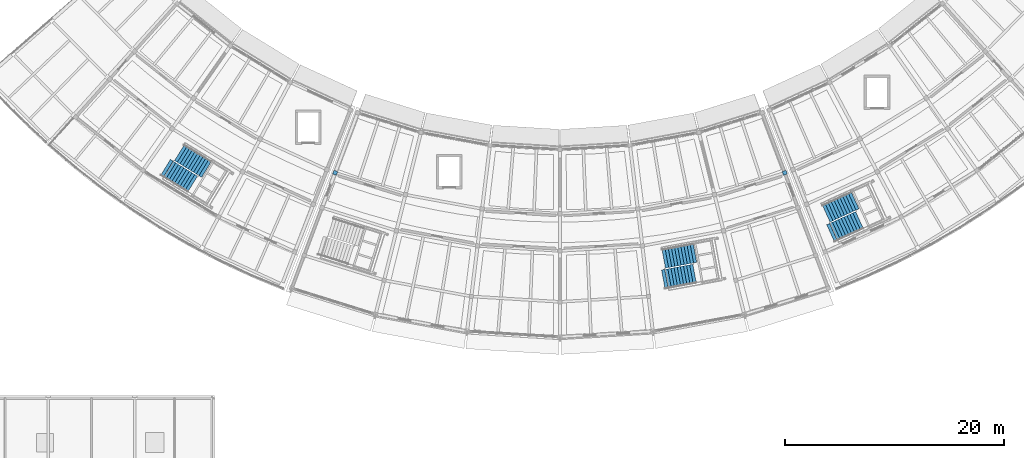
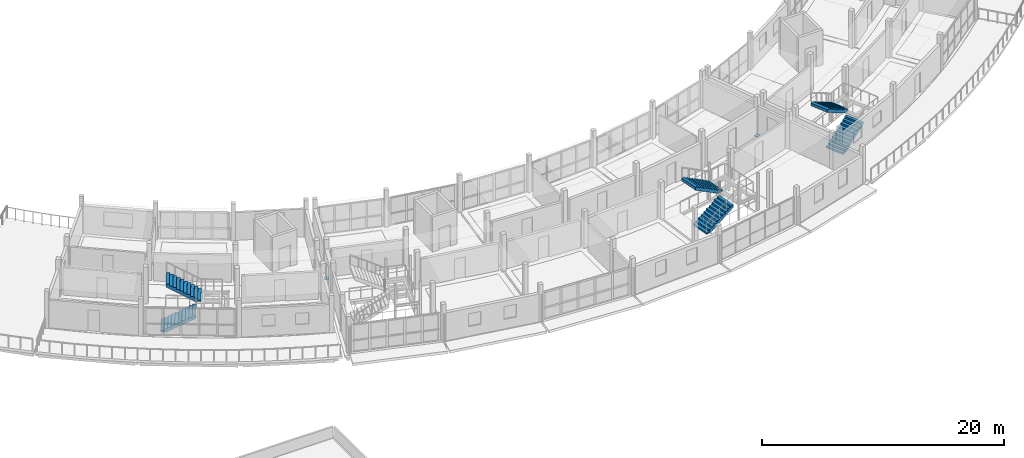
# One storey, part 29 of 36: 6 stair flights, 2 discrete accessories, 3 elements without a shape of their own.
"""IFC4 building model written with IfcOpenShell, lengths in metres."""

from ifc_helpers import new_model, si_unit, direction, frame, origin, origin_2d, place, context, subcontext, project, spatial, polyline, rectangle, outline, extrude, material, type_object, element, aggregate, save


model = new_model("IFC4")

# Units and contexts
model_context = context("Model", 3, precision=1e-05, world=origin(), true_north=direction((0.0, 1.0)))
body_context = subcontext(model_context, "Body", "Model", "MODEL_VIEW")
ifc_project = project(units=[si_unit("LENGTHUNIT", "METRE"), si_unit("AREAUNIT", "SQUARE_METRE"), si_unit("VOLUMEUNIT", "CUBIC_METRE"), si_unit("PLANEANGLEUNIT", "RADIAN"), si_unit("MASSUNIT", "GRAM", prefix="KILO")], contexts=[model_context])

# Site, building, storey
site_placement = place(None, origin())
site = spatial("IfcSite", under=ifc_project, at=site_placement, CompositionType="ELEMENT")
building_placement = place(site_placement, origin())
building = spatial("IfcBuilding", under=site, at=building_placement, Name="Caldaven Crescent School", CompositionType="ELEMENT")
storey_placement = place(building_placement, frame((0.0, 0.0, 11.89990234375)))
storey = spatial("IfcBuildingStorey", under=building, at=storey_placement, Name="L03", CompositionType="ELEMENT", Elevation=11.89990234375)

# Stair, stair flights
ifc_material_1 = material(Name="Precast concrete C30/37", Category="concrete")
stair_type_1 = type_object("IfcStairType", Name="STR-S5", PredefinedType="TWO_STRAIGHT_RUN_STAIR", material=ifc_material_1)
stair_1_placement = place(storey_placement, origin())
stair_1 = element("IfcStair", 1, at=stair_1_placement, inside=storey, type_object=stair_type_1, Name="STAIR-ST1-L03", PredefinedType="TWO_STRAIGHT_RUN_STAIR")
stair_flight_type_1 = type_object("IfcStairFlightType", Name="STF-F5", PredefinedType="STRAIGHT", material=ifc_material_1)
stair_flight_1_placement = place(storey_placement, frame((51.99365234375, 41.9130859375, 0.0), z_axis=(0.0, 0.0, 1.0), x_axis=(0.852640164354, -0.522498564716, 0.0)))
stair_flight_1 = element("IfcStairFlight", 2, at=stair_flight_1_placement, type_object=stair_flight_type_1, Name="ST1-L03 flight 1", NumberOfRisers=11, NumberOfTreads=10, PredefinedType="STRAIGHT", RiserHeight=0.17, TreadLength=0.29, context=body_context, shape_type="SweptSolid", body=[
    extrude(outline(polyline([(0.0, 0.0), (0.0, 0.169921875), (0.2900390625, 0.169921875), (0.2900390625, 0.340087890625), (0.580078125, 0.340087890625), (0.580078125, 0.510009765625), (0.8701171875, 0.510009765625), (0.8701171875, 0.679931640625), (1.159912109375, 0.679931640625), (1.159912109375, 0.85009765625), (1.449951171875, 0.85009765625), (1.449951171875, 1.02001953125), (1.739990234375, 1.02001953125), (1.739990234375, 1.18994140625), (2.030029296875, 1.18994140625), (2.030029296875, 1.360107421875), (2.320068359375, 1.360107421875), (2.320068359375, 1.530029296875), (2.610107421875, 1.530029296875), (2.610107421875, 1.699951171875), (2.89990234375, 1.699951171875), (2.89990234375, 1.8701171875), (2.89990234375, 1.421875), (0.474609375, 0.0), (0.0, 0.0)])), frame((0.0, 0.85986328125, 0.0), z_axis=(0.0, -1.0, 0.0), x_axis=(1.0, 0.0, 0.0)), (0.0, 0.0, 1.0), 1.719970703125),
])
stair_flight_2_placement = place(storey_placement, frame((55.7412109375, 41.7509765625, 1.8701171875), z_axis=(0.0, 0.0, 1.0), x_axis=(-0.852640164354, 0.522498564716, 0.0)))
stair_flight_2 = element("IfcStairFlight", 3, at=stair_flight_2_placement, type_object=stair_flight_type_1, Name="ST1-L03 flight 2", NumberOfRisers=11, NumberOfTreads=10, PredefinedType="STRAIGHT", RiserHeight=0.17, TreadLength=0.29, context=body_context, shape_type="SweptSolid", body=[
    extrude(outline(polyline([(0.0, 0.0), (0.0, 0.169921875), (0.2900390625, 0.169921875), (0.2900390625, 0.340087890625), (0.580078125, 0.340087890625), (0.580078125, 0.510009765625), (0.8701171875, 0.510009765625), (0.8701171875, 0.679931640625), (1.159912109375, 0.679931640625), (1.159912109375, 0.85009765625), (1.449951171875, 0.85009765625), (1.449951171875, 1.02001953125), (1.739990234375, 1.02001953125), (1.739990234375, 1.18994140625), (2.030029296875, 1.18994140625), (2.030029296875, 1.360107421875), (2.320068359375, 1.360107421875), (2.320068359375, 1.530029296875), (2.610107421875, 1.530029296875), (2.610107421875, 1.699951171875), (2.89990234375, 1.699951171875), (2.89990234375, 1.8701171875), (2.89990234375, 1.421875), (0.474609375, 0.0), (0.0, 0.0)])), frame((0.0, 0.85986328125, 0.0), z_axis=(0.0, -1.0, 0.0), x_axis=(1.0, 0.0, 0.0)), (0.0, 0.0, 1.0), 1.719970703125),
])
aggregate(stair_1, [stair_flight_1, stair_flight_2])

stair_2_placement = place(storey_placement, origin())
stair_2 = element("IfcStair", 4, at=stair_2_placement, inside=storey, type_object=stair_type_1, Name="STAIR-ST4-L03", PredefinedType="TWO_STRAIGHT_RUN_STAIR")
stair_flight_3_placement = place(storey_placement, frame((112.705810546875, 35.904296875, 0.0), z_axis=(0.0, 0.0, 1.0), x_axis=(0.909961270877, 0.414693242656, 0.0)))
stair_flight_3 = element("IfcStairFlight", 5, at=stair_flight_3_placement, type_object=stair_flight_type_1, Name="ST4-L03 flight 1", NumberOfRisers=11, NumberOfTreads=10, PredefinedType="STRAIGHT", RiserHeight=0.17, TreadLength=0.29, context=body_context, shape_type="SweptSolid", body=[
    extrude(outline(polyline([(0.0, 0.0), (0.0, 0.169921875), (0.2900390625, 0.169921875), (0.2900390625, 0.340087890625), (0.580078125, 0.340087890625), (0.580078125, 0.510009765625), (0.8701171875, 0.510009765625), (0.8701171875, 0.679931640625), (1.159912109375, 0.679931640625), (1.159912109375, 0.85009765625), (1.449951171875, 0.85009765625), (1.449951171875, 1.02001953125), (1.739990234375, 1.02001953125), (1.739990234375, 1.18994140625), (2.030029296875, 1.18994140625), (2.030029296875, 1.360107421875), (2.320068359375, 1.360107421875), (2.320068359375, 1.530029296875), (2.610107421875, 1.530029296875), (2.610107421875, 1.699951171875), (2.89990234375, 1.699951171875), (2.89990234375, 1.8701171875), (2.89990234375, 1.421875), (0.474609375, 0.0), (0.0, 0.0)])), frame((0.0, 0.85986328125, 0.0), z_axis=(0.0, -1.0, 0.0), x_axis=(1.0, 0.0, 0.0)), (0.0, 0.0, 1.0), 1.719970703125),
])
stair_flight_4_placement = place(storey_placement, frame((114.935546875, 38.920654296875, 1.8701171875), z_axis=(0.0, 0.0, 1.0), x_axis=(-0.909961270877, -0.414693242656, 0.0)))
stair_flight_4 = element("IfcStairFlight", 6, at=stair_flight_4_placement, type_object=stair_flight_type_1, Name="ST4-L03 flight 2", NumberOfRisers=11, NumberOfTreads=10, PredefinedType="STRAIGHT", RiserHeight=0.17, TreadLength=0.29, context=body_context, shape_type="SweptSolid", body=[
    extrude(outline(polyline([(0.0, 0.0), (0.0, 0.169921875), (0.2900390625, 0.169921875), (0.2900390625, 0.340087890625), (0.580078125, 0.340087890625), (0.580078125, 0.510009765625), (0.8701171875, 0.510009765625), (0.8701171875, 0.679931640625), (1.159912109375, 0.679931640625), (1.159912109375, 0.85009765625), (1.449951171875, 0.85009765625), (1.449951171875, 1.02001953125), (1.739990234375, 1.02001953125), (1.739990234375, 1.18994140625), (2.030029296875, 1.18994140625), (2.030029296875, 1.360107421875), (2.320068359375, 1.360107421875), (2.320068359375, 1.530029296875), (2.610107421875, 1.530029296875), (2.610107421875, 1.699951171875), (2.89990234375, 1.699951171875), (2.89990234375, 1.8701171875), (2.89990234375, 1.421875), (0.474609375, 0.0), (0.0, 0.0)])), frame((0.0, 0.85986328125, 0.0), z_axis=(0.0, -1.0, 0.0), x_axis=(1.0, 0.0, 0.0)), (0.0, 0.0, 1.0), 1.719970703125),
])
aggregate(stair_2, [stair_flight_3, stair_flight_4])

stair_type_2 = type_object("IfcStairType", Name="STR-S6", PredefinedType="TWO_STRAIGHT_RUN_STAIR", material=ifc_material_1)
stair_3_placement = place(storey_placement, origin())
stair_3 = element("IfcStair", 7, at=stair_3_placement, inside=storey, type_object=stair_type_2, Name="STAIR-ST3-L03", PredefinedType="TWO_STRAIGHT_RUN_STAIR")
stair_flight_type_2 = type_object("IfcStairFlightType", Name="STF-F6", PredefinedType="STRAIGHT", material=ifc_material_1)
stair_flight_5_placement = place(storey_placement, frame((97.43701171875, 31.69287109375, 0.0), z_axis=(0.0, 0.0, 1.0), x_axis=(0.983254907564, 0.182235525492, 0.0)))
stair_flight_5 = element("IfcStairFlight", 8, at=stair_flight_5_placement, type_object=stair_flight_type_2, Name="ST3-L03 flight 1", NumberOfRisers=11, NumberOfTreads=10, PredefinedType="STRAIGHT", RiserHeight=0.17, TreadLength=0.29, context=body_context, shape_type="SweptSolid", body=[
    extrude(outline(polyline([(0.0, 0.0), (0.0, 0.169921875), (0.2900390625, 0.169921875), (0.2900390625, 0.340087890625), (0.580078125, 0.340087890625), (0.580078125, 0.510009765625), (0.8701171875, 0.510009765625), (0.8701171875, 0.679931640625), (1.159912109375, 0.679931640625), (1.159912109375, 0.85009765625), (1.449951171875, 0.85009765625), (1.449951171875, 1.02001953125), (1.739990234375, 1.02001953125), (1.739990234375, 1.18994140625), (2.030029296875, 1.18994140625), (2.030029296875, 1.360107421875), (2.320068359375, 1.360107421875), (2.320068359375, 1.530029296875), (2.610107421875, 1.530029296875), (2.610107421875, 1.699951171875), (2.89990234375, 1.699951171875), (2.89990234375, 1.8701171875), (2.89990234375, 1.412353515625), (0.490478515625, 0.0), (0.0, 0.0)])), frame((0.0, 0.8798828125, 0.0), z_axis=(0.0, -1.0, 0.0), x_axis=(1.0, 0.0, 0.0)), (0.0, 0.0, 1.0), 1.760009765625),
])
stair_flight_6_placement = place(storey_placement, frame((100.3232421875, 34.11962890625, 1.8701171875), z_axis=(0.0, 0.0, 1.0), x_axis=(-0.983254907564, -0.182235525492, 0.0)))
stair_flight_6 = element("IfcStairFlight", 9, at=stair_flight_6_placement, type_object=stair_flight_type_2, Name="ST3-L03 flight 2", NumberOfRisers=11, NumberOfTreads=10, PredefinedType="STRAIGHT", RiserHeight=0.17, TreadLength=0.29, context=body_context, shape_type="SweptSolid", body=[
    extrude(outline(polyline([(0.0, 0.0), (0.0, 0.169921875), (0.2900390625, 0.169921875), (0.2900390625, 0.340087890625), (0.580078125, 0.340087890625), (0.580078125, 0.510009765625), (0.8701171875, 0.510009765625), (0.8701171875, 0.679931640625), (1.159912109375, 0.679931640625), (1.159912109375, 0.85009765625), (1.449951171875, 0.85009765625), (1.449951171875, 1.02001953125), (1.739990234375, 1.02001953125), (1.739990234375, 1.18994140625), (2.030029296875, 1.18994140625), (2.030029296875, 1.360107421875), (2.320068359375, 1.360107421875), (2.320068359375, 1.530029296875), (2.610107421875, 1.530029296875), (2.610107421875, 1.699951171875), (2.89990234375, 1.699951171875), (2.89990234375, 1.8701171875), (2.89990234375, 1.412353515625), (0.490478515625, 0.0), (0.0, 0.0)])), frame((0.0, 0.8798828125, 0.0), z_axis=(0.0, -1.0, 0.0), x_axis=(1.0, 0.0, 0.0)), (0.0, 0.0, 1.0), 1.760009765625),
])
aggregate(stair_3, [stair_flight_5, stair_flight_6])

# Discrete accessories
ifc_material_2 = material(Name="Steel ASTM A572 Grade 50", Category="steel")
discrete_accessory_type = type_object("IfcDiscreteAccessoryType", Name="ACC-SB1", PredefinedType="BRACKET", material=ifc_material_2)
for number, where, z_axis, x_axis, name in (
    (10, (67.482421875, 41.4296875, -0.329833984375), (0.0, 0.0, 1.0), (-0.352005016254, -0.93599811353, 0.0), "SB-L03-W"),
    (11, (108.517578125, 41.4296875, -0.329833984375), (0.0, 0.0, 1.0), (0.352005016254, -0.93599811353, 0.0), "SB-L03-E"),
):
    element("IfcDiscreteAccessory", number, at=place(storey_placement, frame(where, z_axis=z_axis, x_axis=x_axis)), inside=storey, type_object=discrete_accessory_type, Name=name, PredefinedType="BRACKET", context=body_context, shape_type="SweptSolid", body=[
        extrude(rectangle(XDim=0.360107421875, YDim=0.360107421875, at=origin_2d()), origin(), (0.0, 0.0, 1.0), 0.080078125),
    ])

save(model, "model.ifc")
